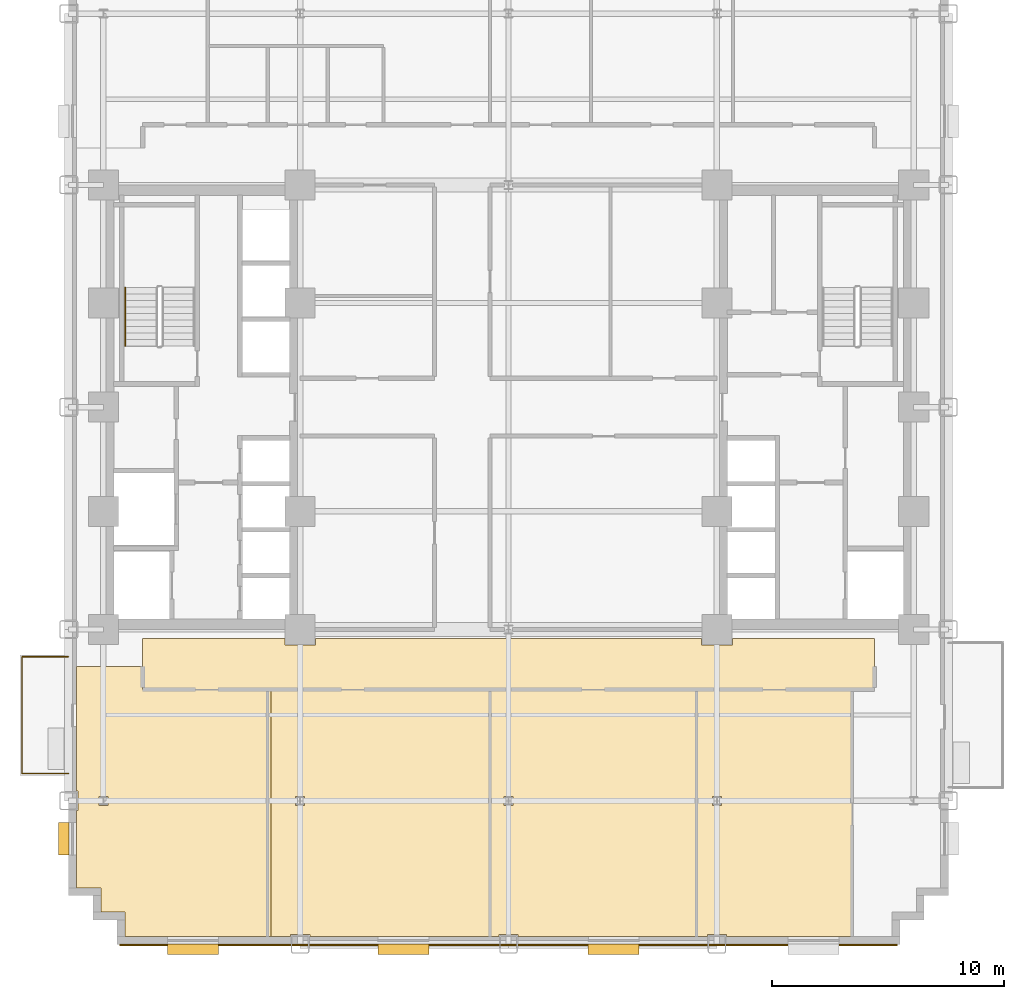
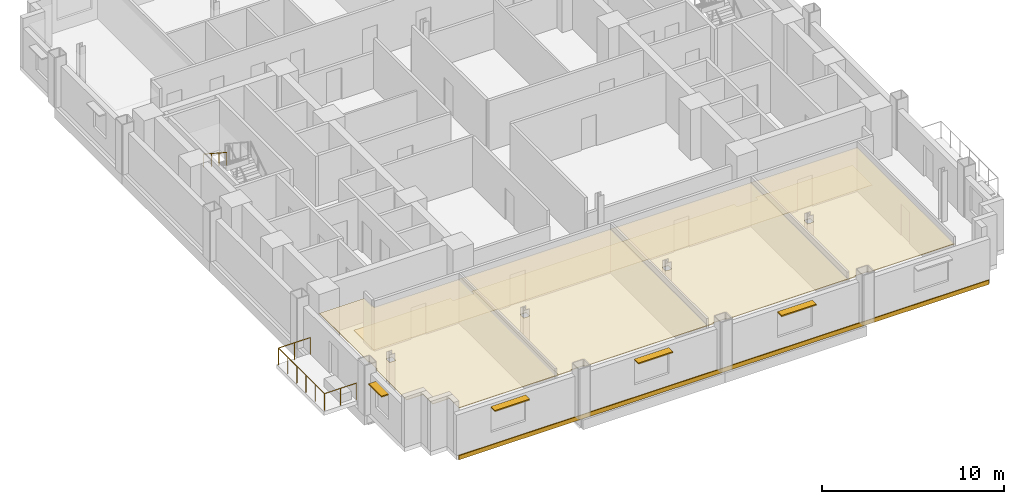
# One storey, part 9 of 12: 6 coverings, 4 shading devices, 2 railings.
"""IFC4 building model written with IfcOpenShell, lengths in metres."""

from ifc_helpers import new_model, si_unit, direction, frame, origin, origin_2d, place, context, subcontext, project, spatial, polyline, rectangle, circle, outline, extrude, source, transform, mapped, material, layer, layer_set, type_object, type_shapes, element, save


model = new_model("IFC4")

# Units and contexts
model_context = context("Model", 3, precision=1e-05, world=origin(), true_north=direction((0.0, 1.0)))
body_context = subcontext(model_context, "Body", "Model", "MODEL_VIEW")
ifc_project = project(units=[si_unit("LENGTHUNIT", "METRE"), si_unit("AREAUNIT", "SQUARE_METRE"), si_unit("VOLUMEUNIT", "CUBIC_METRE"), si_unit("PLANEANGLEUNIT", "RADIAN"), si_unit("MASSUNIT", "GRAM", prefix="KILO")], contexts=[model_context])

# Site, building, storey
site_placement = place(None, origin())
site = spatial("IfcSite", under=ifc_project, at=site_placement, CompositionType="ELEMENT")
building_placement = place(site_placement, origin())
building = spatial("IfcBuilding", under=site, at=building_placement, Name="Nuvemarco Arch Tower", CompositionType="ELEMENT")
storey_placement = place(building_placement, frame((0.0, 0.0, 42.199951171875)))
storey = spatial("IfcBuildingStorey", under=building, at=storey_placement, Name="L10", CompositionType="ELEMENT", Elevation=42.199951171875)

# Coverings
ifc_material_1 = material(Name="Mineral acoustic ceiling tile")
ifc_layer_1 = layer(ifc_material_1, 0.0400390625, Name="COV-ACOUSTIC-CLG")
ifc_layer_set_1 = layer_set([ifc_layer_1], Name="Mineral acoustic ceiling tile")
covering_type_1 = type_object("IfcCoveringType", Name="COV-ACOUSTIC-CLG", PredefinedType="CEILING", material=ifc_layer_set_1)
covering_1_placement = place(storey_placement, frame((0.0, 0.0, 2.85009765625)))
element("IfcCovering", 1, at=covering_1_placement, inside=storey, type_object=covering_type_1, Name="L10 suspended acoustic ceiling 2", PredefinedType="CEILING", context=body_context, shape_type="SweptSolid", body=[
    extrude(outline(polyline([(-0.800048828125, -22.860107421875), (-8.5849609375, -22.860107421875), (-8.5849609375, -22.784912109375), (-9.4150390625, -22.784912109375), (-9.4150390625, -22.860107421875), (-10.260009765625, -22.860107421875), (-10.260009765625, -12.199951171875), (-3.199951171875, -12.199951171875), (-0.800048828125, -12.199951171875), (-0.800048828125, -22.860107421875)]), holes=[polyline([(-8.804931640625, -17.195068359375), (-8.804931640625, -16.804931640625), (-9.195068359375, -16.804931640625), (-9.195068359375, -17.195068359375), (-8.804931640625, -17.195068359375)])]), origin(), (0.0, 0.0, 1.0), 0.0400390625),
])
covering_2_placement = place(storey_placement, frame((0.0, 0.0, 2.85009765625)))
element("IfcCovering", 2, at=covering_2_placement, inside=storey, type_object=covering_type_1, Name="L10 suspended acoustic ceiling 4", PredefinedType="CEILING", context=body_context, shape_type="SweptSolid", body=[
    extrude(outline(polyline([(0.4150390625, -22.860107421875), (0.4150390625, -22.784912109375), (-0.4150390625, -22.784912109375), (-0.4150390625, -22.860107421875), (-0.800048828125, -22.860107421875), (-0.800048828125, -12.199951171875), (8.110107421875, -12.199951171875), (8.110107421875, -22.860107421875), (0.4150390625, -22.860107421875)]), holes=[polyline([(0.195068359375, -17.195068359375), (0.195068359375, -16.804931640625), (-0.195068359375, -16.804931640625), (-0.195068359375, -17.195068359375), (0.195068359375, -17.195068359375)])]), origin(), (0.0, 0.0, 1.0), 0.0400390625),
])
covering_3_placement = place(storey_placement, frame((0.0, 0.0, 2.85009765625)))
element("IfcCovering", 3, at=covering_3_placement, inside=storey, type_object=covering_type_1, Name="L10 suspended acoustic ceiling 5", PredefinedType="CEILING", context=body_context, shape_type="SweptSolid", body=[
    extrude(outline(polyline([(-18.659912109375, -20.760009765625), (-18.659912109375, -17.4150390625), (-18.5849609375, -17.4150390625), (-18.5849609375, -16.5849609375), (-18.659912109375, -16.5849609375), (-18.659912109375, -11.199951171875), (-15.800048828125, -11.199951171875), (-15.800048828125, -12.199951171875), (-10.260009765625, -12.199951171875), (-10.260009765625, -22.860107421875), (-16.56005859375, -22.860107421875), (-16.56005859375, -21.81005859375), (-17.610107421875, -21.81005859375), (-17.610107421875, -20.760009765625), (-18.659912109375, -20.760009765625)]), holes=[polyline([(-17.304931640625, -16.804931640625), (-17.695068359375, -16.804931640625), (-17.695068359375, -17.195068359375), (-17.304931640625, -17.195068359375), (-17.304931640625, -16.804931640625)])]), origin(), (0.0, 0.0, 1.0), 0.0400390625),
])
covering_4_placement = place(storey_placement, frame((0.0, 0.0, 2.85009765625)))
element("IfcCovering", 4, at=covering_4_placement, inside=storey, type_object=covering_type_1, Name="L10 suspended acoustic ceiling 6", PredefinedType="CEILING", context=body_context, shape_type="SweptSolid", body=[
    extrude(outline(polyline([(9.4150390625, -22.860107421875), (9.4150390625, -22.784912109375), (8.5849609375, -22.784912109375), (8.5849609375, -22.860107421875), (8.110107421875, -22.860107421875), (8.110107421875, -12.199951171875), (14.840087890625, -12.199951171875), (14.840087890625, -22.860107421875), (9.4150390625, -22.860107421875)]), holes=[polyline([(9.195068359375, -17.195068359375), (9.195068359375, -16.804931640625), (8.804931640625, -16.804931640625), (8.804931640625, -17.195068359375), (9.195068359375, -17.195068359375)])]), origin(), (0.0, 0.0, 1.0), 0.0400390625),
])
ifc_material_2 = material(Name="Polished granite terrazzostone flooring", Category="masonry")
ifc_layer_2 = layer(ifc_material_2, 0.02001953125, Name="COV-LOBBY-FLR")
ifc_layer_set_2 = layer_set([ifc_layer_2], Name="Polished granite terrazzostone flooring")
covering_type_2 = type_object("IfcCoveringType", Name="COV-LOBBY-FLR", PredefinedType="FLOORING", material=ifc_layer_set_2)
covering_5_placement = place(storey_placement, origin())
element("IfcCovering", 5, at=covering_5_placement, inside=storey, type_object=covering_type_2, Name="L10 polished terrazzo lobby flooring", PredefinedType="FLOORING", context=body_context, shape_type="SweptSolid", body=[
    extrude(outline(polyline([(-9.6650390625, -10.264892578125), (-8.3349609375, -10.264892578125), (-8.3349609375, -10.0), (8.3349609375, -10.0), (8.3349609375, -10.264892578125), (9.6650390625, -10.264892578125), (9.6650390625, -10.0), (15.800048828125, -10.0), (15.800048828125, -12.199951171875), (-0.800048828125, -12.199951171875), (-3.199951171875, -12.199951171875), (-15.800048828125, -12.199951171875), (-15.800048828125, -10.0), (-9.6650390625, -10.0), (-9.6650390625, -10.264892578125)])), origin(), (0.0, 0.0, 1.0), 0.02001953125),
])

# Railings
ifc_material_3 = material(Name="Brushed stainless steel handrail", Category="steel")
railing_type_1 = type_object("IfcRailingType", Name="RL-HANDRAIL-900", PredefinedType="HANDRAIL", material=ifc_material_3)
railing_1_placement = place(storey_placement, frame((-16.550048828125, 5.169921875, 2.007568359375)))
element("IfcRailing", 6, at=railing_1_placement, inside=storey, type_object=railing_type_1, Name="L10 ST-1 stair handrail 2", PredefinedType="HANDRAIL", context=body_context, shape_type="SweptSolid", body=[
    extrude(circle(Radius=0.02392578125, at=origin_2d()), frame((0.0, 0.0, 0.8759765625), z_axis=(0.0, -0.837749427056, 0.546054848405), x_axis=(1.0, 0.0, 0.0)), (0.0, 0.0, 1.0), 3.008056640625),
    extrude(circle(Radius=0.02099609375, at=origin_2d()), origin(), (0.0, 0.0, 1.0), 0.851806640625),
    extrude(circle(Radius=0.02099609375, at=origin_2d()), frame((0.0, -0.840087890625, 0.547607421875)), (0.0, 0.0, 1.0), 0.851806640625),
    extrude(circle(Radius=0.02099609375, at=origin_2d()), frame((0.0, -1.679931640625, 1.094970703125)), (0.0, 0.0, 1.0), 0.851806640625),
    extrude(circle(Radius=0.02099609375, at=origin_2d()), frame((0.0, -2.52001953125, 1.642578125)), (0.0, 0.0, 1.0), 0.851806640625),
])
ifc_material_4 = material(Name="Dark anodised balustrade steel S355", Category="steel")
railing_type_2 = type_object("IfcRailingType", Name="RL-TERR-GUARD", PredefinedType="BALUSTRADE", material=ifc_material_4)
railing_2_placement = place(storey_placement, frame((-19.0, -15.820068359375, 0.0)))
element("IfcRailing", 7, at=railing_2_placement, inside=storey, type_object=railing_type_2, Name="L10 tree balcony perimeter balustrade guard", PredefinedType="BALUSTRADE", context=body_context, shape_type="SweptSolid", body=[
    extrude(circle(Radius=0.02392578125, at=origin_2d()), frame((0.0, 0.0, 1.1259765625), z_axis=(-1.0, 0.0, 0.0), x_axis=(0.0, -1.0, 0.0)), (0.0, 0.0, 1.0), 2.02001953125),
    extrude(circle(Radius=0.02392578125, at=origin_2d()), frame((-2.02001953125, 0.0, 1.1259765625), z_axis=(0.0, 1.0, 0.0), x_axis=(-1.0, 0.0, 0.0)), (0.0, 0.0, 1.0), 5.0400390625),
    extrude(circle(Radius=0.02392578125, at=origin_2d()), frame((-2.02001953125, 5.0400390625, 1.1259765625), z_axis=(1.0, 0.0, 0.0), x_axis=(0.0, 1.0, 0.0)), (0.0, 0.0, 1.0), 2.02001953125),
    extrude(circle(Radius=0.02099609375, at=origin_2d()), origin(), (0.0, 0.0, 1.0), 1.101806640625),
    extrude(circle(Radius=0.02099609375, at=origin_2d()), frame((-1.010009765625, 0.0, 0.0)), (0.0, 0.0, 1.0), 1.101806640625),
    extrude(circle(Radius=0.02099609375, at=origin_2d()), frame((-2.02001953125, 0.0, 0.0)), (0.0, 0.0, 1.0), 1.101806640625),
    extrude(circle(Radius=0.02099609375, at=origin_2d()), frame((-2.02001953125, 1.008056640625, 0.0)), (0.0, 0.0, 1.0), 1.101806640625),
    extrude(circle(Radius=0.02099609375, at=origin_2d()), frame((-2.02001953125, 2.01611328125, 0.0)), (0.0, 0.0, 1.0), 1.101806640625),
    extrude(circle(Radius=0.02099609375, at=origin_2d()), frame((-2.02001953125, 3.02392578125, 0.0)), (0.0, 0.0, 1.0), 1.101806640625),
    extrude(circle(Radius=0.02099609375, at=origin_2d()), frame((-2.02001953125, 4.031982421875, 0.0)), (0.0, 0.0, 1.0), 1.101806640625),
    extrude(circle(Radius=0.02099609375, at=origin_2d()), frame((-2.02001953125, 5.0400390625, 0.0)), (0.0, 0.0, 1.0), 1.101806640625),
    extrude(circle(Radius=0.02099609375, at=origin_2d()), frame((-1.010009765625, 5.0400390625, 0.0)), (0.0, 0.0, 1.0), 1.101806640625),
    extrude(circle(Radius=0.02099609375, at=origin_2d()), frame((0.0, 5.0400390625, 0.0)), (0.0, 0.0, 1.0), 1.101806640625),
])

# Shading devices
ifc_material_5 = material(Name="Anodised aluminium 6063-T6", Category="aluminium")
shading_device_type_1 = type_object("IfcShadingDeviceType", Name="SHD-BRISE-SOLEIL", PredefinedType="USERDEFINED", material=ifc_material_5)
shared_shape_1 = source(origin(), body_context, "Body", "SweptSolid", [
    extrude(rectangle(XDim=2.199951171875, YDim=0.449951171875, at=origin_2d()), origin(), (0.0, 0.0, 1.0), 0.080078125),
])
type_shapes(shading_device_type_1, [shared_shape_1])
for number, where, z_axis, x_axis, name in (
    (8, (-13.628662109375, -23.4150390625, 2.455078125), (0.0, 0.0, 1.0), (1.0, 0.0, 0.0), "L10 horizontal brise-soleil sunshade"),
    (9, (-4.54296875, -23.4150390625, 2.455078125), (0.0, 0.0, 1.0), (1.0, 0.0, 0.0), "L10 horizontal brise-soleil sunshade"),
    (10, (4.54296875, -23.4150390625, 2.455078125), (0.0, 0.0, 1.0), (1.0, 0.0, 0.0), "L10 horizontal brise-soleil sunshade"),
):
    element("IfcShadingDevice", number, at=place(storey_placement, frame(where, z_axis=z_axis, x_axis=x_axis)), inside=storey, type_object=shading_device_type_1, Name=name, ObjectType="SUNSHADE", PredefinedType="USERDEFINED", context=body_context, shape_type="MappedRepresentation", body=[
        mapped(shared_shape_1, transform((0.0, 0.0, 0.0), scale=1.0)),
    ])
shading_device_type_2 = type_object("IfcShadingDeviceType", Name="SHD-BRISE-NARROW", PredefinedType="USERDEFINED", material=ifc_material_5)
shared_shape_2 = source(origin(), body_context, "Body", "SweptSolid", [
    extrude(rectangle(XDim=1.39990234375, YDim=0.449951171875, at=origin_2d()), origin(), (0.0, 0.0, 1.0), 0.080078125),
])
type_shapes(shading_device_type_2, [shared_shape_2])
shading_device_placement = place(storey_placement, frame((-19.215087890625, -18.6435546875, 2.455078125), z_axis=(0.0, 0.0, 1.0), x_axis=(0.0, 1.0, 0.0)))
element("IfcShadingDevice", 11, at=shading_device_placement, inside=storey, type_object=shading_device_type_2, Name="L10 horizontal brise-soleil sunshade", ObjectType="SUNSHADE", PredefinedType="USERDEFINED", context=body_context, shape_type="MappedRepresentation", body=[
    mapped(shared_shape_2, transform((0.0, 0.0, 0.0), scale=1.0)),
])

# Covering
ifc_material_6 = material(Name="Precast concrete C45/55", Category="concrete")
ifc_layer_3 = layer(ifc_material_6, 0.06005859375, Name="COV-SPANDREL-CLAD")
ifc_layer_set_3 = layer_set([ifc_layer_3], Name="Precast concrete C45/55")
covering_type_3 = type_object("IfcCoveringType", Name="COV-SPANDREL-CLAD", PredefinedType="CLADDING", material=ifc_layer_set_3)
shared_shape_3 = source(origin(), body_context, "Body", "SweptSolid", [
    extrude(rectangle(XDim=33.60009765625, YDim=0.06005859375, at=origin_2d()), origin(), (0.0, 0.0, 1.0), 0.280029296875),
])
type_shapes(covering_type_3, [shared_shape_3])
covering_6_placement = place(storey_placement, frame((0.0, -23.22900390625, -0.27978515625), z_axis=(0.0, 0.0, 1.0), x_axis=(1.0, 0.0, 0.0)))
element("IfcCovering", 12, at=covering_6_placement, inside=storey, type_object=covering_type_3, Name="L10 precast spandrel edge cladding south", PredefinedType="CLADDING", context=body_context, shape_type="MappedRepresentation", body=[
    mapped(shared_shape_3, transform((0.0, 0.0, 0.0), scale=1.0)),
])

save(model, "model.ifc")
